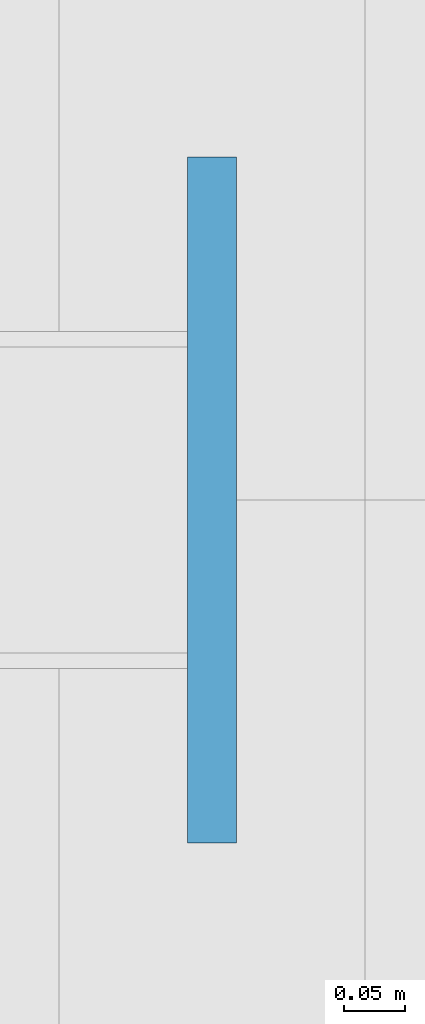
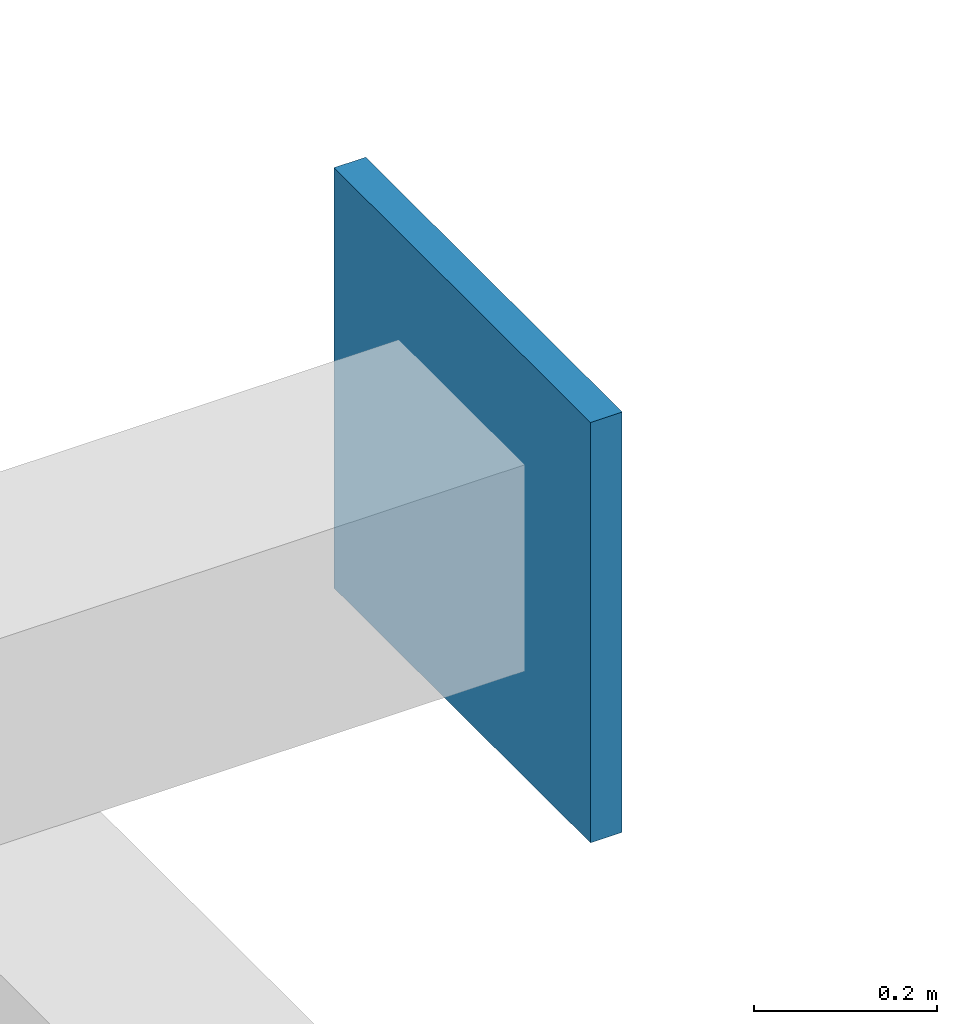
# One storey, part 48 of 59: 1 plate.
"""IFC4 building model written with IfcOpenShell, lengths in metres."""

from ifc_helpers import new_model, si_unit, direction, frame, origin, origin_2d, place, context, subcontext, project, spatial, rectangle, extrude, source, transform, mapped, material, layer, layer_set, type_object, element, save


model = new_model("IFC4")

# Units and contexts
model_context = context("Model", 3, precision=1e-05, world=origin(), true_north=direction((0.0, 1.0)))
body_context = subcontext(model_context, "Body", "Model", "MODEL_VIEW")
ifc_project = project(units=[si_unit("LENGTHUNIT", "METRE"), si_unit("AREAUNIT", "SQUARE_METRE"), si_unit("VOLUMEUNIT", "CUBIC_METRE"), si_unit("PLANEANGLEUNIT", "RADIAN"), si_unit("MASSUNIT", "GRAM", prefix="KILO")], contexts=[model_context])

# Site, building, storey
site_placement = place(None, origin())
site = spatial("IfcSite", under=ifc_project, at=site_placement, CompositionType="ELEMENT")
building_placement = place(site_placement, origin())
building = spatial("IfcBuilding", under=site, at=building_placement, Name="Taldren Reach Tower", CompositionType="ELEMENT")
storey_placement = place(building_placement, frame((0.0, 0.0, 45.14990234375)))
storey = spatial("IfcBuildingStorey", under=building, at=storey_placement, Name="L13", CompositionType="ELEMENT", Elevation=45.14990234375)

# Plate
ifc_material = material(Name="Steel Gr 450 (C450L0)", Category="steel")
ifc_layer = layer(ifc_material, 0.0400390625)
ifc_layer_set = layer_set([ifc_layer], Name="Steel Gr 450 (C450L0)")
plate_type = type_object("IfcPlateType", Name="PL-GUSSET-40", PredefinedType="SHEET", material=ifc_layer_set)
shared_shape = source(origin(), body_context, "Body", "SweptSolid", [
    extrude(rectangle(XDim=0.56005859375, YDim=0.0400390625, at=origin_2d()), origin(), (0.0, 0.0, 1.0), 0.56005859375),
])
plate_placement = place(storey_placement, frame((65.89990234375, 20.0, 2.3701171875), z_axis=(0.0, 0.0, 1.0), x_axis=(0.0, 1.0, 0.0)))
element("IfcPlate", 1, at=plate_placement, inside=storey, type_object=plate_type, Name="Exoskeleton star-node gusset plate B1-E2 L13", PredefinedType="SHEET", context=body_context, shape_type="MappedRepresentation", body=[
    mapped(shared_shape, transform((0.0, 0.0, 0.0), scale=1.0)),
])

save(model, "model.ifc")
